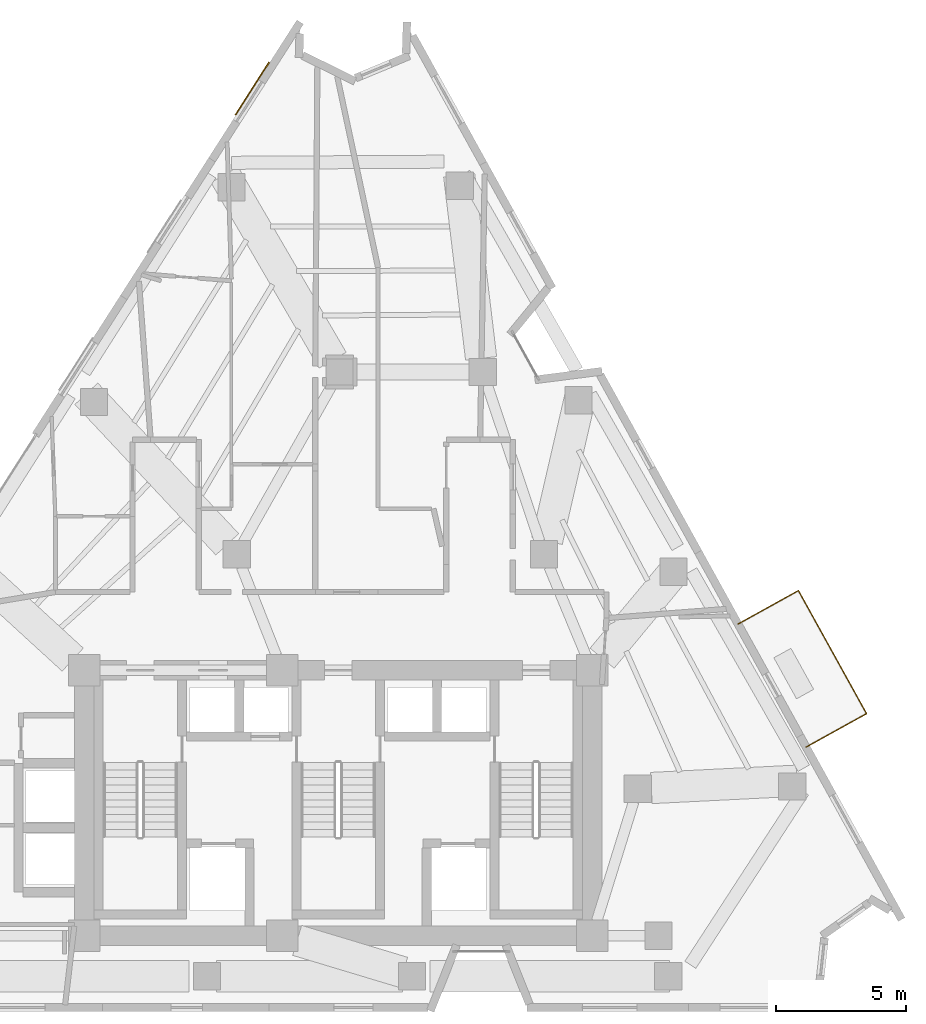
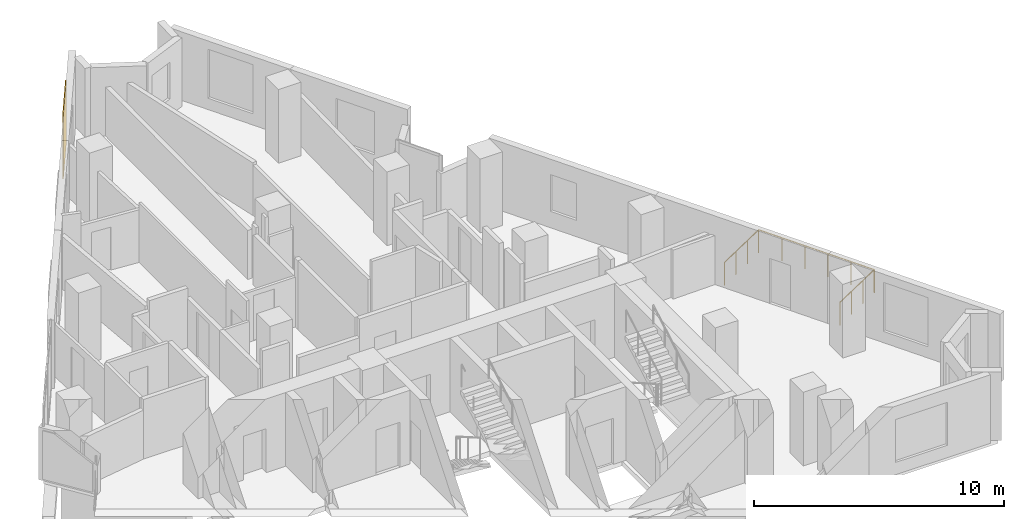
# One storey, part 11 of 11: 1 covering, 1 railing.
"""IFC4 building model written with IfcOpenShell, lengths in metres."""

from ifc_helpers import new_model, si_unit, direction, frame, origin, origin_2d, place, context, subcontext, project, spatial, rectangle, circle, extrude, material, layer, layer_set, type_object, element, save


model = new_model("IFC4")

# Units and contexts
model_context = context("Model", 3, precision=1e-05, world=origin(), true_north=direction((0.0, 1.0)))
body_context = subcontext(model_context, "Body", "Model", "MODEL_VIEW")
ifc_project = project(units=[si_unit("LENGTHUNIT", "METRE"), si_unit("AREAUNIT", "SQUARE_METRE"), si_unit("VOLUMEUNIT", "CUBIC_METRE"), si_unit("PLANEANGLEUNIT", "RADIAN"), si_unit("MASSUNIT", "GRAM", prefix="KILO")], contexts=[model_context])

# Site, building, storey
site_placement = place(None, origin())
site = spatial("IfcSite", under=ifc_project, at=site_placement, CompositionType="ELEMENT")
building_placement = place(site_placement, origin())
building = spatial("IfcBuilding", under=site, at=building_placement, Name="Almagre Mirador Tower", CompositionType="ELEMENT")
storey_placement = place(building_placement, frame((0.0, 0.0, 153.60009765625)))
storey = spatial("IfcBuildingStorey", under=building, at=storey_placement, Name="L39", CompositionType="ELEMENT", Elevation=153.60009765625)

# Covering
ifc_material_1 = material(Name="Almagre terracotta architectural cladding", Category="masonry")
ifc_layer = layer(ifc_material_1, 0.044921875)
ifc_layer_set = layer_set([ifc_layer], Name="Almagre terracotta architectural cladding")
covering_type = type_object("IfcCoveringType", Name="COV-CLAD-ALMAGRE", PredefinedType="CLADDING", material=ifc_layer_set)
covering_placement = place(storey_placement, frame((34.0029296875, 37.081787109375, 0.099853515625), z_axis=(0.0, 0.0, 1.0), x_axis=(0.539505758171, 0.841981910079, 0.0)))
element("IfcCovering", 1, at=covering_placement, inside=storey, type_object=covering_type, Name="L39 almagre terracotta pier cladding", PredefinedType="CLADDING", context=body_context, shape_type="SweptSolid", body=[
    extrude(rectangle(XDim=2.39990234375, YDim=0.044921875, at=origin_2d()), origin(), (0.0, 0.0, 1.0), 3.14990234375),
])

# Railing
ifc_material_2 = material(Name="Black anodized aluminium", Category="aluminium")
railing_type = type_object("IfcRailingType", Name="RLG-BAL-1150", PredefinedType="BALUSTRADE", material=ifc_material_2)
railing_placement = place(storey_placement, frame((55.26708984375, 11.798095703125, 0.0)))
element("IfcRailing", 2, at=railing_placement, inside=storey, type_object=railing_type, Name="L39 east balcony balustrade 1", PredefinedType="BALUSTRADE", context=body_context, shape_type="SweptSolid", body=[
    extrude(circle(Radius=0.02392578125, at=origin_2d()), frame((0.0, 0.0, 1.1259765625), z_axis=(0.875003321676, 0.484116914656, 0.0), x_axis=(-0.484116914656, 0.875003321676, 0.0)), (0.0, 0.0, 1.0), 2.650146484375),
    extrude(circle(Radius=0.02392578125, at=origin_2d()), frame((2.31884765625, 1.282958984375, 1.1259765625), z_axis=(-0.484237401954, 0.874936648306, 0.0), x_axis=(-0.874936648306, -0.484237401954, 0.0)), (0.0, 0.0, 1.0), 5.400146484375),
    extrude(circle(Radius=0.02392578125, at=origin_2d()), frame((-0.296142578125, 6.0078125, 1.1259765625), z_axis=(-0.874760713898, -0.48455515003, 0.0), x_axis=(0.48455515003, -0.874760713898, 0.0)), (0.0, 0.0, 1.0), 2.649658203125),
    extrude(circle(Radius=0.02099609375, at=origin_2d()), origin(), (0.0, 0.0, 1.0), 1.101806640625),
    extrude(circle(Radius=0.02099609375, at=origin_2d()), frame((0.77294921875, 0.427734375, 0.0)), (0.0, 0.0, 1.0), 1.101806640625),
    extrude(circle(Radius=0.02099609375, at=origin_2d()), frame((1.5458984375, 0.855224609375, 0.0)), (0.0, 0.0, 1.0), 1.101806640625),
    extrude(circle(Radius=0.02099609375, at=origin_2d()), frame((2.31884765625, 1.282958984375, 0.0)), (0.0, 0.0, 1.0), 1.101806640625),
    extrude(circle(Radius=0.02099609375, at=origin_2d()), frame((1.7958984375, 2.22802734375, 0.0)), (0.0, 0.0, 1.0), 1.101806640625),
    extrude(circle(Radius=0.02099609375, at=origin_2d()), frame((1.27294921875, 3.1728515625, 0.0)), (0.0, 0.0, 1.0), 1.101806640625),
    extrude(circle(Radius=0.02099609375, at=origin_2d()), frame((0.749755859375, 4.117919921875, 0.0)), (0.0, 0.0, 1.0), 1.101806640625),
    extrude(circle(Radius=0.02099609375, at=origin_2d()), frame((0.226806640625, 5.062744140625, 0.0)), (0.0, 0.0, 1.0), 1.101806640625),
    extrude(circle(Radius=0.02099609375, at=origin_2d()), frame((-0.296142578125, 6.0078125, 0.0)), (0.0, 0.0, 1.0), 1.101806640625),
    extrude(circle(Radius=0.02099609375, at=origin_2d()), frame((-1.06884765625, 5.579833984375, 0.0)), (0.0, 0.0, 1.0), 1.101806640625),
    extrude(circle(Radius=0.02099609375, at=origin_2d()), frame((-1.84130859375, 5.15185546875, 0.0)), (0.0, 0.0, 1.0), 1.101806640625),
    extrude(circle(Radius=0.02099609375, at=origin_2d()), frame((-2.614013671875, 4.723876953125, 0.0)), (0.0, 0.0, 1.0), 1.101806640625),
])

save(model, "model.ifc")
